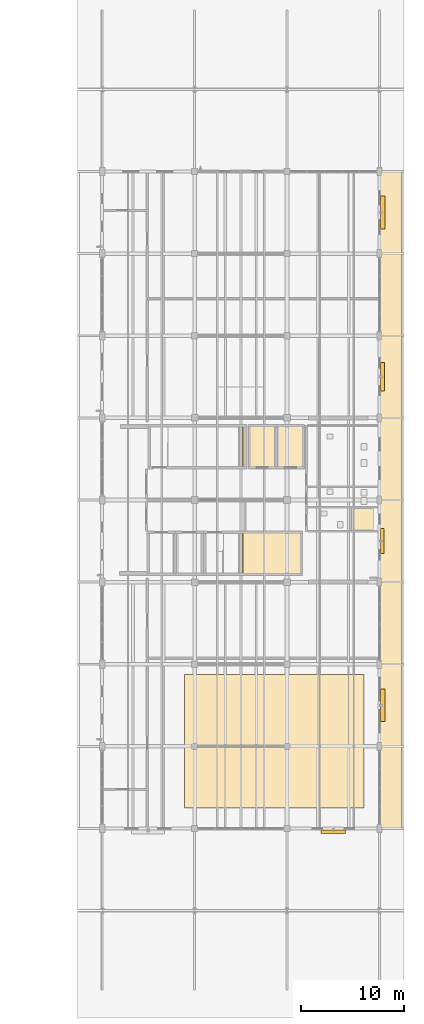
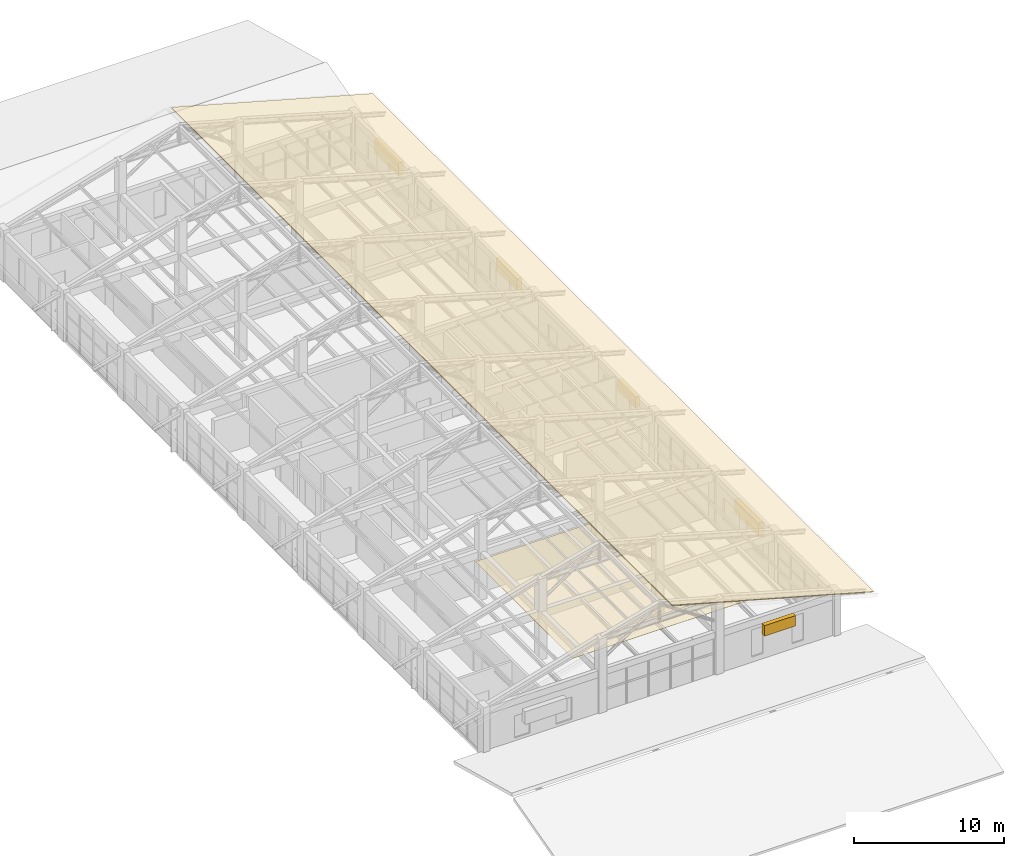
# One storey, part 57 of 58: 5 shading devices, 2 coverings.
"""IFC4 building model written with IfcOpenShell, lengths in metres."""

from ifc_helpers import new_model, si_unit, derived_unit, direction, frame, origin, origin_2d, place, context, subcontext, project, spatial, polyline, rectangle, outline, extrude, material, layer, layer_set, type_object, element, save


model = new_model("IFC4")

# Units and contexts
model_context = context("Model", 3, precision=1e-05, world=origin(), true_north=direction((0.0, 1.0)))
body_context = subcontext(model_context, "Body", "Model", "MODEL_VIEW")
ifc_project = project(units=[si_unit("LENGTHUNIT", "METRE"), si_unit("AREAUNIT", "SQUARE_METRE"), si_unit("VOLUMEUNIT", "CUBIC_METRE"), si_unit("PLANEANGLEUNIT", "RADIAN"), si_unit("MASSUNIT", "GRAM", prefix="KILO"), derived_unit("THERMALTRANSMITTANCEUNIT", [(si_unit("MASSUNIT", "GRAM", prefix="KILO"), 1), (si_unit("TIMEUNIT", "SECOND"), -3), (si_unit("THERMODYNAMICTEMPERATUREUNIT", "KELVIN"), -1)])], contexts=[model_context])

# Site, building, storey
site_placement = place(None, origin())
site = spatial("IfcSite", under=ifc_project, at=site_placement, CompositionType="ELEMENT")
building_placement = place(site_placement, origin())
building = spatial("IfcBuilding", under=site, at=building_placement, Name="Zhenchuan Archway Interchange", CompositionType="ELEMENT")
storey_placement = place(building_placement, frame((0.0, 0.0, 22.800048828125)))
storey = spatial("IfcBuildingStorey", under=building, at=storey_placement, Name="L05", CompositionType="ELEMENT", Elevation=22.800048828125)

# Coverings
ifc_material_1 = material(Name="Anodised Aluminium", Category="aluminium")
ifc_layer_1 = layer(ifc_material_1, 0.02490234375)
ifc_layer_set_1 = layer_set([ifc_layer_1], Name="Anodised Aluminium")
covering_type_1 = type_object("IfcCoveringType", Name="COV_CLG_ACOUSTIC", PredefinedType="CEILING", material=ifc_layer_set_1)
covering_1_placement = place(storey_placement, frame((0.0, 0.0, 3.864990234375)))
element("IfcCovering", 1, at=covering_1_placement, inside=storey, type_object=covering_type_1, Name="Suspended acoustic ceiling grid 07 (L05)", PredefinedType="CEILING", context=body_context, shape_type="SweptSolid", body=[
    extrude(outline(polyline([(152.0, 26.0), (169.5, 26.0), (169.5, 39.0), (152.0, 39.0), (152.0, 26.0)])), origin(), (0.0, 0.0, 1.0), 0.02490234375),
])
ifc_material_2 = material(Name="Terracotta Ceramic", Category="masonry")
ifc_layer_2 = layer(ifc_material_2, 0.050048828125)
ifc_layer_set_2 = layer_set([ifc_layer_2], Name="Terracotta Ceramic")
covering_type_2 = type_object("IfcCoveringType", Name="COV_ROOF_TERRA", PredefinedType="ROOFING", material=ifc_layer_set_2)
covering_2_placement = place(storey_placement, frame((157.699951171875, 22.60009765625, 8.27392578125), z_axis=(0.267607857377, 0.0, 0.963527910686), x_axis=(0.963527910686, 0.0, -0.267607857377)))
element("IfcCovering", 2, at=covering_2_placement, inside=storey, type_object=covering_type_2, Name="Roof weatherproofing covering COV:ROOF:CMD-E", PredefinedType="ROOFING", context=body_context, shape_type="SweptSolid", body=[
    extrude(outline(polyline([(0.0, 0.0), (16.086716148128374, 0.0), (16.086716148128374, 66.7998046875), (0.0, 66.7998046875), (0.0, 0.0)])), origin(), (0.0, 0.0, -1.0), 0.050048828125),
])

# Shading devices
shading_device_type_1 = type_object("IfcShadingDeviceType", Name="SHD_LOUVRE_1", PredefinedType="JALOUSIE", material=ifc_material_1)
shading_device_placement = place(storey_placement, frame((171.323974609375, 68.0, 2.47509765625), z_axis=(0.0, 0.0, 1.0), x_axis=(0.0, -1.0, 0.0)))
element("IfcShadingDevice", 3, at=shading_device_placement, inside=storey, type_object=shading_device_type_1, Name="Monsoon storm-louvre jalousie L05-147", PredefinedType="JALOUSIE", context=body_context, shape_type="SweptSolid", body=[
    extrude(rectangle(XDim=2.800048828125, YDim=0.3798828125, at=origin_2d()), origin(), (0.0, 0.0, 1.0), 0.949951171875),
])
shading_device_type_2 = type_object("IfcShadingDeviceType", Name="SHD_LOUVRE_2", PredefinedType="JALOUSIE", material=ifc_material_1)
for number, where, z_axis, x_axis, name in (
    (4, (166.52490234375, 23.696044921875, 2.52490234375), (0.0, 0.0, 1.0), (-1.0, 0.0, 0.0), "Monsoon storm-louvre jalousie L05-139"),
    (5, (171.303955078125, 52.0, 2.52490234375), (0.0, 0.0, 1.0), (0.0, -1.0, 0.0), "Monsoon storm-louvre jalousie L05-148"),
):
    element("IfcShadingDevice", number, at=place(storey_placement, frame(where, z_axis=z_axis, x_axis=x_axis)), inside=storey, type_object=shading_device_type_2, Name=name, PredefinedType="JALOUSIE", context=body_context, shape_type="SweptSolid", body=[
        extrude(rectangle(XDim=2.39990234375, YDim=0.340087890625, at=origin_2d()), origin(), (0.0, 0.0, 1.0), 0.85009765625),
    ])
shading_device_type_3 = type_object("IfcShadingDeviceType", Name="SHD_LOUVRE_3", PredefinedType="JALOUSIE", material=ifc_material_1)
for number, where, z_axis, x_axis, name in (
    (6, (171.333984375, 84.0, 2.22509765625), (0.0, 0.0, 1.0), (0.0, -1.0, 0.0), "Monsoon storm-louvre jalousie L05-146"),
    (7, (171.333984375, 36.0, 2.02490234375), (0.0, 0.0, 1.0), (0.0, -1.0, 0.0), "Monsoon storm-louvre jalousie L05-149"),
):
    element("IfcShadingDevice", number, at=place(storey_placement, frame(where, z_axis=z_axis, x_axis=x_axis)), inside=storey, type_object=shading_device_type_3, Name=name, PredefinedType="JALOUSIE", context=body_context, shape_type="SweptSolid", body=[
        extrude(rectangle(XDim=3.199951171875, YDim=0.39990234375, at=origin_2d()), origin(), (0.0, 0.0, 1.0), 1.050048828125),
    ])

save(model, "model.ifc")
